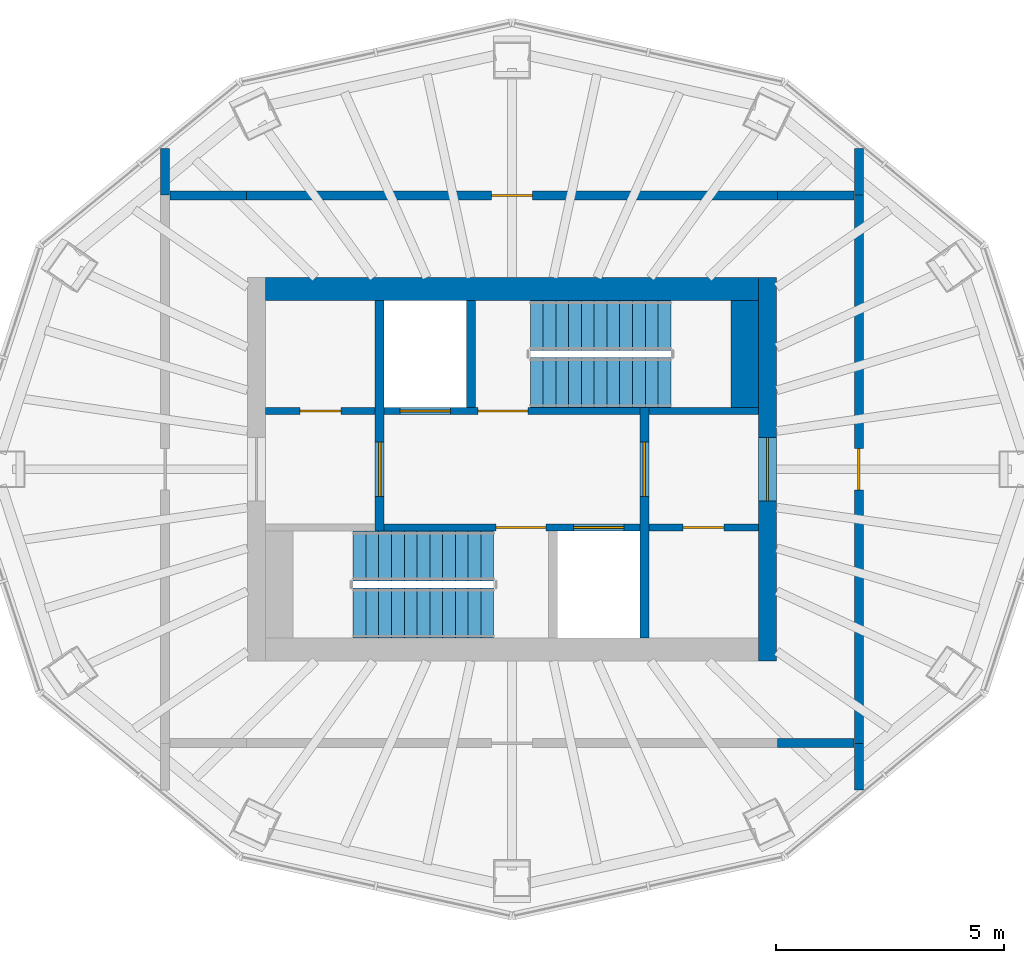
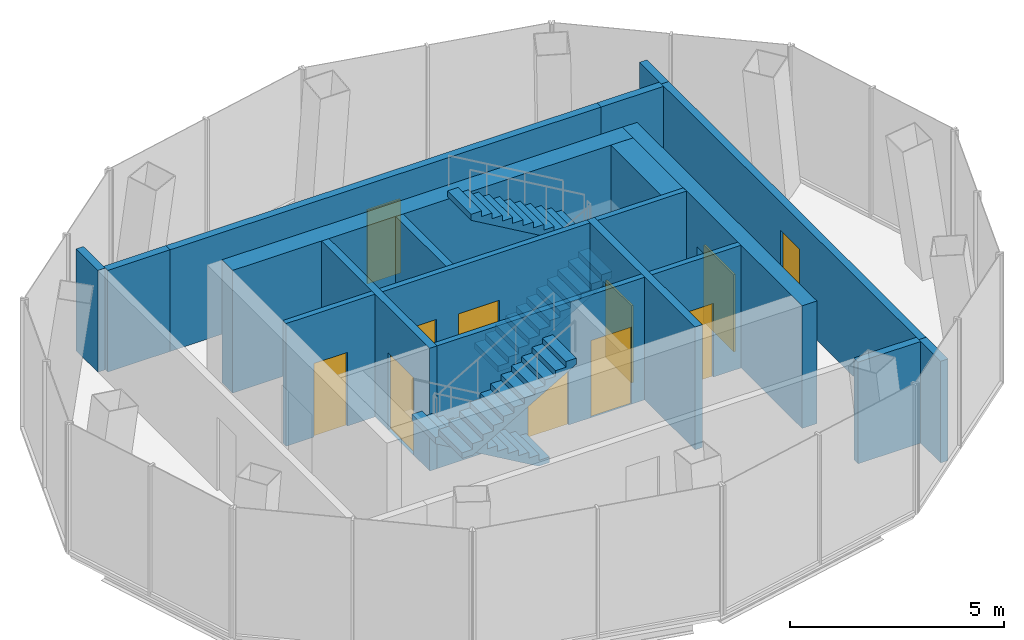
# One storey, part 4 of 5: 19 walls, 11 doors, 4 stair flights, 11 openings, 2 elements without a shape of their own.
"""IFC4 building model written with IfcOpenShell, lengths in metres."""

from ifc_helpers import new_model, si_unit, direction, frame, frame_2d, origin, place, context, subcontext, project, spatial, polyline, rectangle, outline, extrude, material, layer, layer_set, type_object, element, fill, aggregate, save


model = new_model("IFC4")

# Units and contexts
model_context = context("Model", 3, precision=1e-05, world=origin(), true_north=direction((0.0, 1.0)))
body_context = subcontext(model_context, "Body", "Model", "MODEL_VIEW")
ifc_project = project(units=[si_unit("LENGTHUNIT", "METRE"), si_unit("AREAUNIT", "SQUARE_METRE"), si_unit("VOLUMEUNIT", "CUBIC_METRE"), si_unit("PLANEANGLEUNIT", "RADIAN"), si_unit("MASSUNIT", "GRAM", prefix="KILO")], contexts=[model_context])

# Site, building, storey
site_placement = place(None, origin())
site = spatial("IfcSite", under=ifc_project, at=site_placement, CompositionType="ELEMENT")
building_placement = place(site_placement, origin())
building = spatial("IfcBuilding", under=site, at=building_placement, Name="Siaravel Broadcast Tower", CompositionType="ELEMENT")
storey_placement = place(building_placement, frame((0.0, 0.0, 280.39990234375)))
storey = spatial("IfcBuildingStorey", under=building, at=storey_placement, Name="L68", CompositionType="ELEMENT", Elevation=280.39990234375)

# Wall, opening, door
ifc_material_1 = material(Name="Concrete C60/75", Category="concrete")
ifc_layer_1 = layer(ifc_material_1, 0.39990234375)
ifc_layer_set_1 = layer_set([ifc_layer_1], Name="Concrete C60/75")
wall_type_1 = type_object("IfcWallType", Name="Core wall 400", PredefinedType="SHEAR", material=ifc_layer_set_1)
wall_1_placement = place(storey_placement, frame((5.60009765625, -4.199951171875, 0.0), z_axis=(0.0, 0.0, 1.0), x_axis=(0.0, 1.0, 0.0)))
wall_1 = element("IfcWall", 1, at=wall_1_placement, inside=storey, type_object=wall_type_1, Name="L68 core wall OE", PredefinedType="SHEAR", context=body_context, shape_type="SweptSolid", body=[
    extrude(rectangle(XDim=8.39990234375, YDim=0.39990234375, at=frame_2d((4.199951171875, 0.0))), origin(), (0.0, 0.0, 1.0), 3.5),
])
opening_1_placement = place(wall_1_placement, frame((3.5, 0.0, 0.0)))
opening_1 = element("IfcOpeningElement", 2, at=opening_1_placement, cuts=wall_1, Name="Opening L68-DX-E", PredefinedType="OPENING", context=body_context, shape_type="SweptSolid", body=[
    extrude(rectangle(XDim=1.39990234375, YDim=2.199951171875, at=frame_2d((0.699951171875, 1.10009765625))), frame((0.0, 0.2099609375, 0.0), z_axis=(0.0, -1.0, 0.0), x_axis=(1.0, 0.0, 0.0)), (0.0, 0.0, 1.0), 0.419921875),
])
ifc_material_2 = material(Name="Steel", Category="steel")
door_type_1 = type_object("IfcDoorType", Name="Core exit door 1400", OperationType="DOUBLE_DOOR_SINGLE_SWING", PredefinedType="DOOR", material=ifc_material_2)
door_1_placement = place(opening_1_placement, origin())
door_1 = element("IfcDoor", 3, at=door_1_placement, inside=storey, type_object=door_type_1, Name="L68 door DX-E", OperationType="DOUBLE_DOOR_SINGLE_SWING", OverallHeight=2.199951171875, OverallWidth=1.39990234375, PredefinedType="DOOR", context=body_context, shape_type="SweptSolid", body=[
    extrude(rectangle(XDim=1.39990234375, YDim=2.199951171875, at=frame_2d((0.699951171875, 1.10009765625))), frame((0.0, 0.02490234375, 0.0), z_axis=(0.0, -1.0, 0.0), x_axis=(1.0, 0.0, 0.0)), (0.0, 0.0, 1.0), 0.050048828125),
])
fill(opening_1, door_1)

# Wall
ifc_layer_2 = layer(ifc_material_1, 0.5)
ifc_layer_set_2 = layer_set([ifc_layer_2], Name="Concrete C60/75")
wall_type_2 = type_object("IfcWallType", Name="Core wall 500", PredefinedType="SHEAR", material=ifc_layer_set_2)
wall_2_placement = place(storey_placement, frame((-5.39990234375, 3.949951171875, 0.0), z_axis=(0.0, 0.0, 1.0), x_axis=(1.0, 0.0, 0.0)))
element("IfcWall", 4, at=wall_2_placement, inside=storey, type_object=wall_type_2, Name="L68 core wall ON", PredefinedType="SHEAR", context=body_context, shape_type="SweptSolid", body=[
    extrude(rectangle(XDim=10.7998046875, YDim=0.5, at=frame_2d((5.39990234375, 0.0))), origin(), (0.0, 0.0, 1.0), 3.5),
])

# Wall, opening, door
ifc_material_3 = material(Name="Gypsum board partition", Category="gypsum")
ifc_layer_3 = layer(ifc_material_3, 0.14990234375)
ifc_layer_set_3 = layer_set([ifc_layer_3], Name="Gypsum board partition")
wall_type_3 = type_object("IfcWallType", Name="Corridor wall 150", PredefinedType="PARTITIONING", material=ifc_layer_set_3)
wall_3_placement = place(storey_placement, frame((3.0, -1.27490234375, 0.0), z_axis=(0.0, 0.0, 1.0), x_axis=(1.0, 0.0, 0.0)))
wall_3 = element("IfcWall", 5, at=wall_3_placement, inside=storey, type_object=wall_type_3, Name="L68 core partition CSE", PredefinedType="PARTITIONING", context=body_context, shape_type="SweptSolid", body=[
    extrude(rectangle(XDim=2.39990234375, YDim=0.14990234375, at=frame_2d((1.199951171875, 0.0))), origin(), (0.0, 0.0, 1.0), 3.5),
])
opening_2_placement = place(wall_3_placement, frame((0.75, 0.0, 0.0)))
opening_2 = element("IfcOpeningElement", 6, at=opening_2_placement, cuts=wall_3, Name="Opening L68-DCSE", PredefinedType="OPENING", context=body_context, shape_type="SweptSolid", body=[
    extrude(rectangle(XDim=0.89990234375, YDim=2.10009765625, at=frame_2d((0.449951171875, 1.050048828125))), frame((0.0, 0.0849609375, 0.0), z_axis=(0.0, -1.0, 0.0), x_axis=(1.0, 0.0, 0.0)), (0.0, 0.0, 1.0), 0.169921875),
])
ifc_material_4 = material(Name="Timber veneer", Category="wood")
door_type_2 = type_object("IfcDoorType", Name="Core room door 900", OperationType="SINGLE_SWING_LEFT", PredefinedType="DOOR", material=ifc_material_4)
door_2_placement = place(opening_2_placement, origin())
door_2 = element("IfcDoor", 7, at=door_2_placement, inside=storey, type_object=door_type_2, Name="L68 door DCSE", OperationType="SINGLE_SWING_LEFT", OverallHeight=2.10009765625, OverallWidth=0.89990234375, PredefinedType="DOOR", context=body_context, shape_type="SweptSolid", body=[
    extrude(rectangle(XDim=0.89990234375, YDim=2.10009765625, at=frame_2d((0.449951171875, 1.050048828125))), frame((0.0, 0.02490234375, 0.0), z_axis=(0.0, -1.0, 0.0), x_axis=(1.0, 0.0, 0.0)), (0.0, 0.0, 1.0), 0.050048828125),
])
fill(opening_2, door_2)

wall_4_placement = place(storey_placement, frame((-5.39990234375, 1.27490234375, 0.0), z_axis=(0.0, 0.0, 1.0), x_axis=(1.0, 0.0, 0.0)))
wall_4 = element("IfcWall", 8, at=wall_4_placement, inside=storey, type_object=wall_type_3, Name="L68 core partition CNW", PredefinedType="PARTITIONING", context=body_context, shape_type="SweptSolid", body=[
    extrude(rectangle(XDim=2.39990234375, YDim=0.14990234375, at=frame_2d((1.199951171875, 0.0))), origin(), (0.0, 0.0, 1.0), 3.5),
])
opening_3_placement = place(wall_4_placement, frame((0.75, 0.0, 0.0)))
opening_3 = element("IfcOpeningElement", 9, at=opening_3_placement, cuts=wall_4, Name="Opening L68-DCNW", PredefinedType="OPENING", context=body_context, shape_type="SweptSolid", body=[
    extrude(rectangle(XDim=0.89990234375, YDim=2.10009765625, at=frame_2d((0.449951171875, 1.050048828125))), frame((0.0, 0.0849609375, 0.0), z_axis=(0.0, -1.0, 0.0), x_axis=(1.0, 0.0, 0.0)), (0.0, 0.0, 1.0), 0.169921875),
])
door_3_placement = place(opening_3_placement, origin())
door_3 = element("IfcDoor", 10, at=door_3_placement, inside=storey, type_object=door_type_2, Name="L68 door DCNW", OperationType="SINGLE_SWING_LEFT", OverallHeight=2.10009765625, OverallWidth=0.89990234375, PredefinedType="DOOR", context=body_context, shape_type="SweptSolid", body=[
    extrude(rectangle(XDim=0.89990234375, YDim=2.10009765625, at=frame_2d((0.449951171875, 1.050048828125))), frame((0.0, 0.02490234375, 0.0), z_axis=(0.0, -1.0, 0.0), x_axis=(1.0, 0.0, 0.0)), (0.0, 0.0, 1.0), 0.050048828125),
])
fill(opening_3, door_3)

ifc_material_5 = material(Name="Concrete blockwork", Category="masonry")
ifc_layer_4 = layer(ifc_material_5, 0.199951171875)
ifc_layer_set_4 = layer_set([ifc_layer_4], Name="Concrete blockwork")
wall_type_4 = type_object("IfcWallType", Name="Plant room wall 200", PredefinedType="PARTITIONING", material=ifc_layer_set_4)
wall_5_placement = place(storey_placement, frame((7.60009765625, -6.011962890625, 0.0), z_axis=(0.0, 0.0, 1.0), x_axis=(0.0, 1.0, 0.0)))
wall_5 = element("IfcWall", 11, at=wall_5_placement, inside=storey, type_object=wall_type_4, Name="L68 partition 2", PredefinedType="PARTITIONING", context=body_context, shape_type="SweptSolid", body=[
    extrude(rectangle(XDim=12.02392578125, YDim=0.199951171875, at=frame_2d((6.011962890625, 0.0))), origin(), (0.0, 0.0, 1.0), 2.900146484375),
])
opening_4_placement = place(wall_5_placement, frame((5.56201171875, 0.0, 0.0)))
opening_4 = element("IfcOpeningElement", 12, at=opening_4_placement, cuts=wall_5, Name="Opening L68-002", PredefinedType="OPENING", context=body_context, shape_type="SweptSolid", body=[
    extrude(rectangle(XDim=0.89990234375, YDim=2.10009765625, at=frame_2d((0.449951171875, 1.050048828125))), frame((0.0, 0.10986328125, 0.0), z_axis=(0.0, -1.0, 0.0), x_axis=(1.0, 0.0, 0.0)), (0.0, 0.0, 1.0), 0.219970703125),
])
door_type_3 = type_object("IfcDoorType", Name="Plant room door 900", OperationType="SINGLE_SWING_LEFT", PredefinedType="DOOR", material=ifc_material_2)
door_4_placement = place(opening_4_placement, origin())
door_4 = element("IfcDoor", 13, at=door_4_placement, inside=storey, type_object=door_type_3, Name="L68 door to Lift machine room", OperationType="SINGLE_SWING_RIGHT", OverallHeight=2.10009765625, OverallWidth=0.89990234375, PredefinedType="DOOR", context=body_context, shape_type="SweptSolid", body=[
    extrude(rectangle(XDim=0.89990234375, YDim=2.10009765625, at=frame_2d((0.449951171875, 1.050048828125))), frame((0.0, 0.02490234375, 0.0), z_axis=(0.0, -1.0, 0.0), x_axis=(1.0, 0.0, 0.0)), (0.0, 0.0, 1.0), 0.050048828125),
])
fill(opening_4, door_4)

wall_6_placement = place(storey_placement, frame((5.81201171875, 6.0, 0.0), z_axis=(0.0, 0.0, 1.0), x_axis=(-1.0, 0.0, 0.0)))
wall_6 = element("IfcWall", 14, at=wall_6_placement, inside=storey, type_object=wall_type_4, Name="L68 partition 4", PredefinedType="PARTITIONING", context=body_context, shape_type="SweptSolid", body=[
    extrude(rectangle(XDim=11.6240234375, YDim=0.199951171875, at=frame_2d((5.81201171875, 0.0))), origin(), (0.0, 0.0, 1.0), 2.900146484375),
])
opening_5_placement = place(wall_6_placement, frame((5.362060546875, 0.0, 0.0)))
opening_5 = element("IfcOpeningElement", 15, at=opening_5_placement, cuts=wall_6, Name="Opening L68-003", PredefinedType="OPENING", context=body_context, shape_type="SweptSolid", body=[
    extrude(rectangle(XDim=0.89990234375, YDim=2.10009765625, at=frame_2d((0.449951171875, 1.050048828125))), frame((0.0, 0.10986328125, 0.0), z_axis=(0.0, -1.0, 0.0), x_axis=(1.0, 0.0, 0.0)), (0.0, 0.0, 1.0), 0.219970703125),
])
door_5_placement = place(opening_5_placement, origin())
door_5 = element("IfcDoor", 16, at=door_5_placement, inside=storey, type_object=door_type_3, Name="L68 door to Plant room", OperationType="SINGLE_SWING_LEFT", OverallHeight=2.10009765625, OverallWidth=0.89990234375, PredefinedType="DOOR", context=body_context, shape_type="SweptSolid", body=[
    extrude(rectangle(XDim=0.89990234375, YDim=2.10009765625, at=frame_2d((0.449951171875, 1.050048828125))), frame((0.0, 0.02490234375, 0.0), z_axis=(0.0, -1.0, 0.0), x_axis=(1.0, 0.0, 0.0)), (0.0, 0.0, 1.0), 0.050048828125),
])
fill(opening_5, door_5)

# Walls
for number, where, z_axis, x_axis, name in (
    (17, (-5.81298828125, 6.0, 0.0), (0.0, 0.0, 1.0), (-1.0, 0.0, 0.0), "L68 partition 6"),
    (18, (5.81298828125, -6.0, 0.0), (0.0, 0.0, 1.0), (1.0, 0.0, 0.0), "L68 partition 7"),
    (19, (7.498046875, 6.0, 0.0), (0.0, 0.0, 1.0), (-1.0, 0.0, 0.0), "L68 partition 8"),
):
    element("IfcWall", number, at=place(storey_placement, frame(where, z_axis=z_axis, x_axis=x_axis)), inside=storey, type_object=wall_type_4, Name=name, PredefinedType="PARTITIONING", context=body_context, shape_type="SweptSolid", body=[
        extrude(rectangle(XDim=1.68505859375, YDim=0.199951171875, at=frame_2d((0.842529296875, 0.0))), origin(), (0.0, 0.0, 1.0), 2.900146484375),
    ])
wall_7_placement = place(storey_placement, frame((7.60009765625, -6.012939453125, 0.0), z_axis=(0.0, 0.0, 1.0), x_axis=(0.0, -1.0, 0.0)))
element("IfcWall", 20, at=wall_7_placement, inside=storey, type_object=wall_type_4, Name="L68 partition 10", PredefinedType="PARTITIONING", context=body_context, shape_type="SweptSolid", body=[
    extrude(rectangle(XDim=1.0185546875, YDim=0.199951171875, at=frame_2d((0.50927734375, 0.0))), origin(), (0.0, 0.0, 1.0), 2.900146484375),
])
for number, where, z_axis, x_axis, name in (
    (21, (7.60009765625, 7.03125, 0.0), (0.0, 0.0, 1.0), (0.0, -1.0, 0.0), "L68 partition 11"),
    (22, (-7.60009765625, 6.012939453125, 0.0), (0.0, 0.0, 1.0), (0.0, 1.0, 0.0), "L68 partition 12"),
):
    element("IfcWall", number, at=place(storey_placement, frame(where, z_axis=z_axis, x_axis=x_axis)), inside=storey, type_object=wall_type_4, Name=name, PredefinedType="PARTITIONING", context=body_context, shape_type="SweptSolid", body=[
        extrude(rectangle(XDim=1.018310546875, YDim=0.199951171875, at=frame_2d((0.50927734375, 0.0))), origin(), (0.0, 0.0, 1.0), 2.900146484375),
    ])

# Wall, openings, doors
ifc_layer_5 = layer(ifc_material_1, 0.14990234375)
ifc_layer_set_5 = layer_set([ifc_layer_5], Name="Concrete C60/75")
wall_type_5 = type_object("IfcWallType", Name="Shaft wall 150", PredefinedType="SHEAR", material=ifc_layer_set_5)
wall_8_placement = place(storey_placement, frame((-2.800048828125, -1.27490234375, 0.0), z_axis=(0.0, 0.0, 1.0), x_axis=(1.0, 0.0, 0.0)))
wall_8 = element("IfcWall", 23, at=wall_8_placement, inside=storey, type_object=wall_type_5, Name="L68 core wall CSM", PredefinedType="SHEAR", context=body_context, shape_type="SweptSolid", body=[
    extrude(rectangle(XDim=5.60009765625, YDim=0.14990234375, at=frame_2d((2.800048828125, 0.0))), origin(), (0.0, 0.0, 1.0), 3.5),
])
opening_6_placement = place(wall_8_placement, frame((4.14990234375, 0.0, 0.0)))
opening_6 = element("IfcOpeningElement", 24, at=opening_6_placement, cuts=wall_8, Name="Opening LD-FL2-L68", PredefinedType="OPENING", context=body_context, shape_type="SweptSolid", body=[
    extrude(rectangle(XDim=1.10009765625, YDim=2.199951171875, at=frame_2d((0.550048828125, 1.10009765625))), frame((0.0, 0.0849609375, 0.0), z_axis=(0.0, -1.0, 0.0), x_axis=(1.0, 0.0, 0.0)), (0.0, 0.0, 1.0), 0.169921875),
])
opening_7_placement = place(wall_8_placement, frame((2.449951171875, 0.0, 0.0)))
opening_7 = element("IfcOpeningElement", 25, at=opening_7_placement, cuts=wall_8, Name="Opening L68-DS-C2", PredefinedType="OPENING", context=body_context, shape_type="SweptSolid", body=[
    extrude(rectangle(XDim=1.10009765625, YDim=2.14990234375, at=frame_2d((0.550048828125, 1.074951171875))), frame((0.0, 0.0849609375, 0.0), z_axis=(0.0, -1.0, 0.0), x_axis=(1.0, 0.0, 0.0)), (0.0, 0.0, 1.0), 0.169921875),
])
ifc_material_6 = material(Name="Stainless steel 316L", Category="steel")
door_type_4 = type_object("IfcDoorType", Name="Firefighting lift landing door 1100", OperationType="DOUBLE_DOOR_SLIDING", PredefinedType="DOOR", material=ifc_material_6)
door_6_placement = place(opening_6_placement, origin())
door_6 = element("IfcDoor", 26, at=door_6_placement, inside=storey, type_object=door_type_4, Name="Landing door FL2 L68", OperationType="DOUBLE_DOOR_SLIDING", OverallHeight=2.199951171875, OverallWidth=1.10009765625, PredefinedType="DOOR", context=body_context, shape_type="SweptSolid", body=[
    extrude(rectangle(XDim=1.10009765625, YDim=2.199951171875, at=frame_2d((0.550048828125, 1.10009765625))), frame((0.0, 0.02490234375, 0.0), z_axis=(0.0, -1.0, 0.0), x_axis=(1.0, 0.0, 0.0)), (0.0, 0.0, 1.0), 0.050048828125),
])
fill(opening_6, door_6)
door_type_5 = type_object("IfcDoorType", Name="Stair door 1100", OperationType="SINGLE_SWING_LEFT", PredefinedType="DOOR", material=ifc_material_2)
door_7_placement = place(opening_7_placement, origin())
door_7 = element("IfcDoor", 27, at=door_7_placement, inside=storey, type_object=door_type_5, Name="L68 door DS-C2", OperationType="SINGLE_SWING_LEFT", OverallHeight=2.14990234375, OverallWidth=1.10009765625, PredefinedType="DOOR", context=body_context, shape_type="SweptSolid", body=[
    extrude(rectangle(XDim=1.10009765625, YDim=2.14990234375, at=frame_2d((0.550048828125, 1.074951171875))), frame((0.0, 0.02490234375, 0.0), z_axis=(0.0, -1.0, 0.0), x_axis=(1.0, 0.0, 0.0)), (0.0, 0.0, 1.0), 0.050048828125),
])
fill(opening_7, door_7)

wall_9_placement = place(storey_placement, frame((-2.800048828125, 1.27490234375, 0.0), z_axis=(0.0, 0.0, 1.0), x_axis=(1.0, 0.0, 0.0)))
wall_9 = element("IfcWall", 28, at=wall_9_placement, inside=storey, type_object=wall_type_5, Name="L68 core wall CNM", PredefinedType="SHEAR", context=body_context, shape_type="SweptSolid", body=[
    extrude(rectangle(XDim=5.60009765625, YDim=0.14990234375, at=frame_2d((2.800048828125, 0.0))), origin(), (0.0, 0.0, 1.0), 3.5),
])
opening_8_placement = place(wall_9_placement, frame((0.35009765625, 0.0, 0.0)))
opening_8 = element("IfcOpeningElement", 29, at=opening_8_placement, cuts=wall_9, Name="Opening LD-FL1-L68", PredefinedType="OPENING", context=body_context, shape_type="SweptSolid", body=[
    extrude(rectangle(XDim=1.10009765625, YDim=2.199951171875, at=frame_2d((0.550048828125, 1.10009765625))), frame((0.0, 0.0849609375, 0.0), z_axis=(0.0, -1.0, 0.0), x_axis=(1.0, 0.0, 0.0)), (0.0, 0.0, 1.0), 0.169921875),
])
opening_9_placement = place(wall_9_placement, frame((2.050048828125, 0.0, 0.0)))
opening_9 = element("IfcOpeningElement", 30, at=opening_9_placement, cuts=wall_9, Name="Opening L68-DS-C1", PredefinedType="OPENING", context=body_context, shape_type="SweptSolid", body=[
    extrude(rectangle(XDim=1.10009765625, YDim=2.14990234375, at=frame_2d((0.550048828125, 1.074951171875))), frame((0.0, 0.0849609375, 0.0), z_axis=(0.0, -1.0, 0.0), x_axis=(1.0, 0.0, 0.0)), (0.0, 0.0, 1.0), 0.169921875),
])
door_8_placement = place(opening_8_placement, origin())
door_8 = element("IfcDoor", 31, at=door_8_placement, inside=storey, type_object=door_type_4, Name="Landing door FL1 L68", OperationType="DOUBLE_DOOR_SLIDING", OverallHeight=2.199951171875, OverallWidth=1.10009765625, PredefinedType="DOOR", context=body_context, shape_type="SweptSolid", body=[
    extrude(rectangle(XDim=1.10009765625, YDim=2.199951171875, at=frame_2d((0.550048828125, 1.10009765625))), frame((0.0, 0.02490234375, 0.0), z_axis=(0.0, -1.0, 0.0), x_axis=(1.0, 0.0, 0.0)), (0.0, 0.0, 1.0), 0.050048828125),
])
fill(opening_8, door_8)
door_9_placement = place(opening_9_placement, origin())
door_9 = element("IfcDoor", 32, at=door_9_placement, inside=storey, type_object=door_type_5, Name="L68 door DS-C1", OperationType="SINGLE_SWING_LEFT", OverallHeight=2.14990234375, OverallWidth=1.10009765625, PredefinedType="DOOR", context=body_context, shape_type="SweptSolid", body=[
    extrude(rectangle(XDim=1.10009765625, YDim=2.14990234375, at=frame_2d((0.550048828125, 1.074951171875))), frame((0.0, 0.02490234375, 0.0), z_axis=(0.0, -1.0, 0.0), x_axis=(1.0, 0.0, 0.0)), (0.0, 0.0, 1.0), 0.050048828125),
])
fill(opening_9, door_9)

# Wall
wall_10_placement = place(storey_placement, frame((3.0, 1.27490234375, 0.0), z_axis=(0.0, 0.0, 1.0), x_axis=(1.0, 0.0, 0.0)))
element("IfcWall", 33, at=wall_10_placement, inside=storey, type_object=wall_type_5, Name="L68 core wall CNE", PredefinedType="SHEAR", context=body_context, shape_type="SweptSolid", body=[
    extrude(rectangle(XDim=2.39990234375, YDim=0.14990234375, at=frame_2d((1.199951171875, 0.0))), origin(), (0.0, 0.0, 1.0), 3.5),
])

# Wall, opening, door
ifc_layer_6 = layer(ifc_material_1, 0.199951171875)
ifc_layer_set_6 = layer_set([ifc_layer_6], Name="Concrete C60/75")
wall_type_6 = type_object("IfcWallType", Name="Shaft wall 200", PredefinedType="SHEAR", material=ifc_layer_set_6)
wall_11_placement = place(storey_placement, frame((-2.89990234375, -1.35009765625, 0.0), z_axis=(0.0, 0.0, 1.0), x_axis=(0.0, 1.0, 0.0)))
wall_11 = element("IfcWall", 34, at=wall_11_placement, inside=storey, type_object=wall_type_6, Name="L68 core wall LW", PredefinedType="SHEAR", context=body_context, shape_type="SweptSolid", body=[
    extrude(rectangle(XDim=5.050048828125, YDim=0.199951171875, at=frame_2d((2.52490234375, 0.0))), origin(), (0.0, 0.0, 1.0), 3.5),
])
opening_10_placement = place(wall_11_placement, frame((0.75, 0.0, 0.0)))
opening_10 = element("IfcOpeningElement", 35, at=opening_10_placement, cuts=wall_11, Name="Opening L68-DL-W", PredefinedType="OPENING", context=body_context, shape_type="SweptSolid", body=[
    extrude(rectangle(XDim=1.199951171875, YDim=2.199951171875, at=frame_2d((0.60009765625, 1.10009765625))), frame((0.0, 0.10986328125, 0.0), z_axis=(0.0, -1.0, 0.0), x_axis=(1.0, 0.0, 0.0)), (0.0, 0.0, 1.0), 0.219970703125),
])
door_type_6 = type_object("IfcDoorType", Name="Firefighting lobby door 1200", OperationType="SINGLE_SWING_LEFT", PredefinedType="DOOR", material=ifc_material_2)
door_10_placement = place(opening_10_placement, origin())
door_10 = element("IfcDoor", 36, at=door_10_placement, inside=storey, type_object=door_type_6, Name="L68 door DL-W", OperationType="SINGLE_SWING_LEFT", OverallHeight=2.199951171875, OverallWidth=1.199951171875, PredefinedType="DOOR", context=body_context, shape_type="SweptSolid", body=[
    extrude(rectangle(XDim=1.199951171875, YDim=2.199951171875, at=frame_2d((0.60009765625, 1.10009765625))), frame((0.0, 0.02490234375, 0.0), z_axis=(0.0, -1.0, 0.0), x_axis=(1.0, 0.0, 0.0)), (0.0, 0.0, 1.0), 0.050048828125),
])
fill(opening_10, door_10)

wall_12_placement = place(storey_placement, frame((2.89990234375, -3.699951171875, 0.0), z_axis=(0.0, 0.0, 1.0), x_axis=(0.0, 1.0, 0.0)))
wall_12 = element("IfcWall", 37, at=wall_12_placement, inside=storey, type_object=wall_type_6, Name="L68 core wall LE", PredefinedType="SHEAR", context=body_context, shape_type="SweptSolid", body=[
    extrude(rectangle(XDim=5.050048828125, YDim=0.199951171875, at=frame_2d((2.52490234375, 0.0))), origin(), (0.0, 0.0, 1.0), 3.5),
])
opening_11_placement = place(wall_12_placement, frame((3.10009765625, 0.0, 0.0)))
opening_11 = element("IfcOpeningElement", 38, at=opening_11_placement, cuts=wall_12, Name="Opening L68-DL-E", PredefinedType="OPENING", context=body_context, shape_type="SweptSolid", body=[
    extrude(rectangle(XDim=1.199951171875, YDim=2.199951171875, at=frame_2d((0.60009765625, 1.10009765625))), frame((0.0, 0.10986328125, 0.0), z_axis=(0.0, -1.0, 0.0), x_axis=(1.0, 0.0, 0.0)), (0.0, 0.0, 1.0), 0.219970703125),
])
door_11_placement = place(opening_11_placement, origin())
door_11 = element("IfcDoor", 39, at=door_11_placement, inside=storey, type_object=door_type_6, Name="L68 door DL-E", OperationType="SINGLE_SWING_LEFT", OverallHeight=2.199951171875, OverallWidth=1.199951171875, PredefinedType="DOOR", context=body_context, shape_type="SweptSolid", body=[
    extrude(rectangle(XDim=1.199951171875, YDim=2.199951171875, at=frame_2d((0.60009765625, 1.10009765625))), frame((0.0, 0.02490234375, 0.0), z_axis=(0.0, -1.0, 0.0), x_axis=(1.0, 0.0, 0.0)), (0.0, 0.0, 1.0), 0.050048828125),
])
fill(opening_11, door_11)

# Walls
wall_13_placement = place(storey_placement, frame((-0.89990234375, 1.35009765625, 0.0), z_axis=(0.0, 0.0, 1.0), x_axis=(0.0, 1.0, 0.0)))
element("IfcWall", 40, at=wall_13_placement, inside=storey, type_object=wall_type_6, Name="L68 core wall FF1E", PredefinedType="SHEAR", context=body_context, shape_type="SweptSolid", body=[
    extrude(rectangle(XDim=2.349853515625, YDim=0.199951171875, at=frame_2d((1.1748046875, 0.0))), origin(), (0.0, 0.0, 1.0), 3.5),
])
ifc_layer_7 = layer(ifc_material_1, 0.60009765625)
ifc_layer_set_7 = layer_set([ifc_layer_7], Name="Concrete C60/75")
wall_type_7 = type_object("IfcWallType", Name="Shaft wall 600", PredefinedType="SHEAR", material=ifc_layer_set_7)
wall_14_placement = place(storey_placement, frame((5.10009765625, 1.35009765625, 0.0), z_axis=(0.0, 0.0, 1.0), x_axis=(0.0, 1.0, 0.0)))
element("IfcWall", 41, at=wall_14_placement, inside=storey, type_object=wall_type_7, Name="L68 core wall STCE", PredefinedType="SHEAR", context=body_context, shape_type="SweptSolid", body=[
    extrude(rectangle(XDim=2.349853515625, YDim=0.60009765625, at=frame_2d((1.1748046875, 0.0))), origin(), (0.0, 0.0, 1.0), 3.5),
])

# Stair, stair flights
ifc_material_7 = material(Name="Concrete C40/50", Category="concrete")
stair_type = type_object("IfcStairType", Name="Core exit stair", PredefinedType="HALF_TURN_STAIR", material=ifc_material_7)
stair_1_placement = place(storey_placement, origin())
stair_1 = element("IfcStair", 42, at=stair_1_placement, inside=storey, type_object=stair_type, Name="L68 Exit stair ST-C1", PredefinedType="HALF_TURN_STAIR")
stair_flight_type = type_object("IfcStairFlightType", Name="Stair flight 1100", PredefinedType="STRAIGHT", material=ifc_material_7)
stair_flight_1_placement = place(storey_placement, frame((0.39990234375, 1.89990234375, 0.0), z_axis=(0.0, 0.0, 1.0), x_axis=(1.0, 0.0, 0.0)))
stair_flight_1 = element("IfcStairFlight", 43, at=stair_flight_1_placement, type_object=stair_flight_type, Name="ST-C1 flight 1", NumberOfRisers=12, NumberOfTreads=11, PredefinedType="STRAIGHT", RiserHeight=0.1625, TreadLength=0.28, context=body_context, shape_type="SweptSolid", body=[
    extrude(outline(polyline([(0.0, 0.0), (0.0, 0.16259765625), (0.280029296875, 0.16259765625), (0.280029296875, 0.324951171875), (0.56005859375, 0.324951171875), (0.56005859375, 0.487548828125), (0.840087890625, 0.487548828125), (0.840087890625, 0.64990234375), (1.1201171875, 0.64990234375), (1.1201171875, 0.8125), (1.39990234375, 0.8125), (1.39990234375, 0.97509765625), (1.679931640625, 0.97509765625), (1.679931640625, 1.137451171875), (1.9599609375, 1.137451171875), (1.9599609375, 1.300048828125), (2.239990234375, 1.300048828125), (2.239990234375, 1.46240234375), (2.52001953125, 1.46240234375), (2.52001953125, 1.625), (2.800048828125, 1.625), (2.800048828125, 1.78759765625), (3.080078125, 1.78759765625), (3.080078125, 1.949951171875), (3.080078125, 1.6142578125), (0.298583984375, 0.0), (0.0, 0.0)])), frame((0.0, 0.550048828125, 0.0), z_axis=(0.0, -1.0, 0.0), x_axis=(1.0, 0.0, 0.0)), (0.0, 0.0, 1.0), 1.10009765625),
])
stair_flight_2_placement = place(storey_placement, frame((3.47998046875, 3.14990234375, 1.9501953125), z_axis=(0.0, 0.0, 1.0), x_axis=(-1.0, 0.0, 0.0)))
stair_flight_2 = element("IfcStairFlight", 44, at=stair_flight_2_placement, type_object=stair_flight_type, Name="ST-C1 flight 2", NumberOfRisers=12, NumberOfTreads=11, PredefinedType="STRAIGHT", RiserHeight=0.1625, TreadLength=0.28, context=body_context, shape_type="SweptSolid", body=[
    extrude(outline(polyline([(0.0, 0.0), (0.0, 0.16259765625), (0.280029296875, 0.16259765625), (0.280029296875, 0.324951171875), (0.56005859375, 0.324951171875), (0.56005859375, 0.487548828125), (0.840087890625, 0.487548828125), (0.840087890625, 0.64990234375), (1.1201171875, 0.64990234375), (1.1201171875, 0.8125), (1.39990234375, 0.8125), (1.39990234375, 0.97509765625), (1.679931640625, 0.97509765625), (1.679931640625, 1.137451171875), (1.9599609375, 1.137451171875), (1.9599609375, 1.300048828125), (2.239990234375, 1.300048828125), (2.239990234375, 1.46240234375), (2.52001953125, 1.46240234375), (2.52001953125, 1.625), (2.800048828125, 1.625), (2.800048828125, 1.78759765625), (3.080078125, 1.78759765625), (3.080078125, 1.949951171875), (3.080078125, 1.6142578125), (0.298583984375, 0.0), (0.0, 0.0)])), frame((0.0, 0.550048828125, 0.0), z_axis=(0.0, -1.0, 0.0), x_axis=(1.0, 0.0, 0.0)), (0.0, 0.0, 1.0), 1.10009765625),
])
aggregate(stair_1, [stair_flight_1, stair_flight_2])

stair_2_placement = place(storey_placement, origin())
stair_2 = element("IfcStair", 45, at=stair_2_placement, inside=storey, type_object=stair_type, Name="L68 Exit stair ST-C2", PredefinedType="HALF_TURN_STAIR")
stair_flight_3_placement = place(storey_placement, frame((-0.39990234375, -1.89990234375, 0.0), z_axis=(0.0, 0.0, 1.0), x_axis=(-1.0, 0.0, 0.0)))
stair_flight_3 = element("IfcStairFlight", 46, at=stair_flight_3_placement, type_object=stair_flight_type, Name="ST-C2 flight 1", NumberOfRisers=12, NumberOfTreads=11, PredefinedType="STRAIGHT", RiserHeight=0.1625, TreadLength=0.28, context=body_context, shape_type="SweptSolid", body=[
    extrude(outline(polyline([(0.0, 0.0), (0.0, 0.16259765625), (0.280029296875, 0.16259765625), (0.280029296875, 0.324951171875), (0.56005859375, 0.324951171875), (0.56005859375, 0.487548828125), (0.840087890625, 0.487548828125), (0.840087890625, 0.64990234375), (1.1201171875, 0.64990234375), (1.1201171875, 0.8125), (1.39990234375, 0.8125), (1.39990234375, 0.97509765625), (1.679931640625, 0.97509765625), (1.679931640625, 1.137451171875), (1.9599609375, 1.137451171875), (1.9599609375, 1.300048828125), (2.239990234375, 1.300048828125), (2.239990234375, 1.46240234375), (2.52001953125, 1.46240234375), (2.52001953125, 1.625), (2.800048828125, 1.625), (2.800048828125, 1.78759765625), (3.080078125, 1.78759765625), (3.080078125, 1.949951171875), (3.080078125, 1.6142578125), (0.298583984375, 0.0), (0.0, 0.0)])), frame((0.0, 0.550048828125, 0.0), z_axis=(0.0, -1.0, 0.0), x_axis=(1.0, 0.0, 0.0)), (0.0, 0.0, 1.0), 1.10009765625),
])
stair_flight_4_placement = place(storey_placement, frame((-3.47998046875, -3.14990234375, 1.9501953125), z_axis=(0.0, 0.0, 1.0), x_axis=(1.0, 0.0, 0.0)))
stair_flight_4 = element("IfcStairFlight", 47, at=stair_flight_4_placement, type_object=stair_flight_type, Name="ST-C2 flight 2", NumberOfRisers=12, NumberOfTreads=11, PredefinedType="STRAIGHT", RiserHeight=0.1625, TreadLength=0.28, context=body_context, shape_type="SweptSolid", body=[
    extrude(outline(polyline([(0.0, 0.0), (0.0, 0.16259765625), (0.280029296875, 0.16259765625), (0.280029296875, 0.324951171875), (0.56005859375, 0.324951171875), (0.56005859375, 0.487548828125), (0.840087890625, 0.487548828125), (0.840087890625, 0.64990234375), (1.1201171875, 0.64990234375), (1.1201171875, 0.8125), (1.39990234375, 0.8125), (1.39990234375, 0.97509765625), (1.679931640625, 0.97509765625), (1.679931640625, 1.137451171875), (1.9599609375, 1.137451171875), (1.9599609375, 1.300048828125), (2.239990234375, 1.300048828125), (2.239990234375, 1.46240234375), (2.52001953125, 1.46240234375), (2.52001953125, 1.625), (2.800048828125, 1.625), (2.800048828125, 1.78759765625), (3.080078125, 1.78759765625), (3.080078125, 1.949951171875), (3.080078125, 1.6142578125), (0.298583984375, 0.0), (0.0, 0.0)])), frame((0.0, 0.550048828125, 0.0), z_axis=(0.0, -1.0, 0.0), x_axis=(1.0, 0.0, 0.0)), (0.0, 0.0, 1.0), 1.10009765625),
])
aggregate(stair_2, [stair_flight_3, stair_flight_4])

save(model, "model.ifc")
